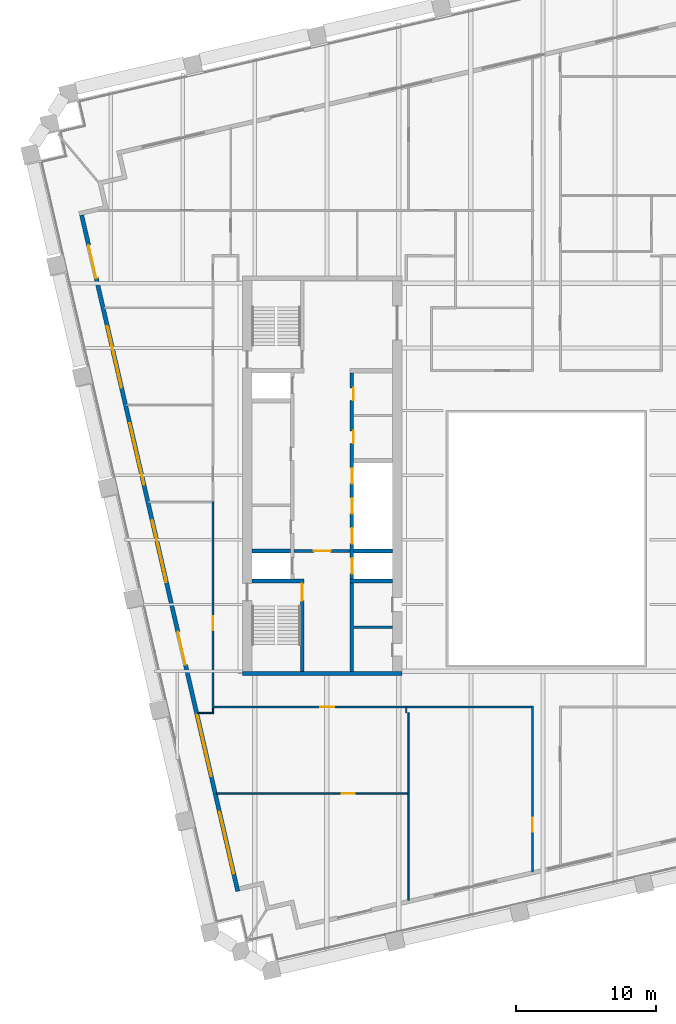
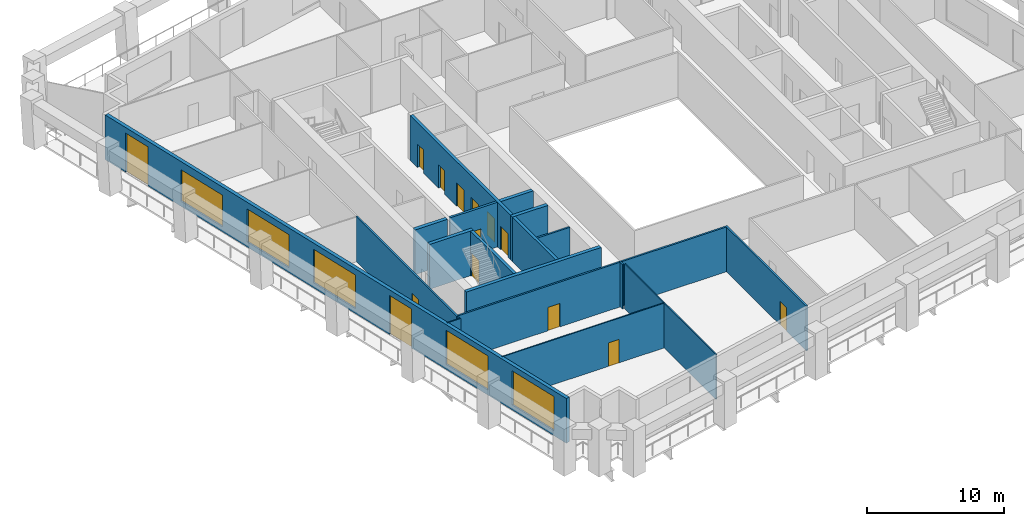
# One storey, part 4 of 10: 20 walls, 14 doors, 5 windows, 19 openings.
"""IFC4 building model written with IfcOpenShell, lengths in metres."""

from ifc_helpers import new_model, si_unit, direction, frame, frame_2d, origin, place, context, subcontext, project, spatial, rectangle, extrude, material, layer, layer_set, type_object, element, fill, save


model = new_model("IFC4")

# Units and contexts
model_context = context("Model", 3, precision=1e-05, world=origin(), true_north=direction((0.0, 1.0)))
body_context = subcontext(model_context, "Body", "Model", "MODEL_VIEW")
ifc_project = project(units=[si_unit("LENGTHUNIT", "METRE"), si_unit("AREAUNIT", "SQUARE_METRE"), si_unit("VOLUMEUNIT", "CUBIC_METRE"), si_unit("PLANEANGLEUNIT", "RADIAN"), si_unit("MASSUNIT", "GRAM", prefix="KILO")], contexts=[model_context])

# Site, building, storey
site_placement = place(None, origin())
site = spatial("IfcSite", under=ifc_project, at=site_placement, CompositionType="ELEMENT")
building_placement = place(site_placement, origin())
building = spatial("IfcBuilding", under=site, at=building_placement, Name="Ogive Exchange Tower", CompositionType="ELEMENT")
storey_placement = place(building_placement, frame((0.0, 0.0, 192.60009765625)))
storey = spatial("IfcBuildingStorey", under=building, at=storey_placement, Name="L42", CompositionType="ELEMENT", Elevation=192.60009765625)

# Wall
ifc_material_1 = material(Name="Gypsum board partition")
ifc_layer_1 = layer(ifc_material_1, 0.14990234375)
ifc_layer_set_1 = layer_set([ifc_layer_1], Name="Core room partition 150 gypsum")
wall_type_1 = type_object("IfcWallType", Name="Core room partition 150 gypsum", PredefinedType="PARTITIONING", material=ifc_layer_set_1)
wall_1_placement = place(storey_placement, frame((-13.75, 0.699951171875, 0.0), z_axis=(0.0, 0.0, 1.0), x_axis=(1.0, 0.0, 0.0)))
element("IfcWall", 1, at=wall_1_placement, inside=storey, type_object=wall_type_1, Name="W south room partition", PredefinedType="PARTITIONING", context=body_context, shape_type="SweptSolid", body=[
    extrude(rectangle(XDim=2.75, YDim=0.14990234375, at=frame_2d((1.375, 0.0))), origin(), (0.0, 0.0, 1.0), 4.0),
])

# Wall, opening, door
ifc_material_2 = material(Name="Fire partition EI 60 150")
ifc_layer_2 = layer(ifc_material_2, 0.14990234375)
ifc_layer_set_2 = layer_set([ifc_layer_2], Name="Fire partition EI 60 150")
wall_type_2 = type_object("IfcWallType", Name="Fire partition EI 60 150", PredefinedType="PARTITIONING", material=ifc_layer_set_2)
wall_2_placement = place(storey_placement, frame((-23.800048828125, -5.074951171875, 0.0), z_axis=(0.0, 0.0, 1.0), x_axis=(0.0, 1.0, 0.0)))
wall_2 = element("IfcWall", 2, at=wall_2_placement, inside=storey, type_object=wall_type_2, Name="L42-PWL-003", PredefinedType="PARTITIONING", context=body_context, shape_type="SweptSolid", body=[
    extrude(rectangle(XDim=14.744873046875, YDim=0.14990234375, at=frame_2d((7.37255859375, 0.0))), origin(), (0.0, 0.0, 1.0), 4.0),
])
opening_1_placement = place(wall_2_placement, frame((5.544921875, 0.0, 0.0)))
opening_1 = element("IfcOpeningElement", 3, at=opening_1_placement, cuts=wall_2, Name="Opening L42-I11", PredefinedType="OPENING", context=body_context, shape_type="SweptSolid", body=[
    extrude(rectangle(XDim=1.0, YDim=2.10009765625, at=frame_2d((0.5, 1.050048828125))), frame((0.0, 0.0849609375, 0.0), z_axis=(0.0, -1.0, 0.0), x_axis=(1.0, 0.0, 0.0)), (0.0, 0.0, 1.0), 0.169921875),
])
ifc_material_3 = material(Name="Fire door FD 30S 1000 x 2100")
door_type_1 = type_object("IfcDoorType", Name="Fire door FD 30S 1000 x 2100", OperationType="NOTDEFINED", PredefinedType="DOOR", material=ifc_material_3)
door_1_placement = place(opening_1_placement, origin())
door_1 = element("IfcDoor", 4, at=door_1_placement, inside=storey, type_object=door_type_1, Name="L42-IDR-011", ObjectType="DT3", OperationType="SINGLE_SWING_RIGHT", OverallHeight=2.10009765625, OverallWidth=1.0, PredefinedType="DOOR", context=body_context, shape_type="SweptSolid", body=[
    extrude(rectangle(XDim=1.0, YDim=2.10009765625, at=frame_2d((0.5, 1.050048828125))), frame((0.0, 0.02490234375, 0.0), z_axis=(0.0, -1.0, 0.0), x_axis=(1.0, 0.0, 0.0)), (0.0, 0.0, 1.0), 0.050048828125),
])
fill(opening_1, door_1)

wall_3_placement = place(storey_placement, frame((-10.050048828125, -5.0, 0.0), z_axis=(0.0, 0.0, 1.0), x_axis=(-1.0, 0.0, 0.0)))
wall_3 = element("IfcWall", 5, at=wall_3_placement, inside=storey, type_object=wall_type_2, Name="L42-PWL-020", PredefinedType="PARTITIONING", context=body_context, shape_type="SweptSolid", body=[
    extrude(rectangle(XDim=13.6650390625, YDim=0.14990234375, at=frame_2d((6.83251953125, 0.0))), origin(), (0.0, 0.0, 1.0), 4.0),
])
opening_2_placement = place(wall_3_placement, frame((5.090087890625, 0.0, 0.0)))
opening_2 = element("IfcOpeningElement", 6, at=opening_2_placement, cuts=wall_3, Name="Opening L42-I13", PredefinedType="OPENING", context=body_context, shape_type="SweptSolid", body=[
    extrude(rectangle(XDim=1.0, YDim=2.10009765625, at=frame_2d((0.5, 1.050048828125))), frame((0.0, 0.0849609375, 0.0), z_axis=(0.0, -1.0, 0.0), x_axis=(1.0, 0.0, 0.0)), (0.0, 0.0, 1.0), 0.169921875),
])
door_2_placement = place(opening_2_placement, origin())
door_2 = element("IfcDoor", 7, at=door_2_placement, inside=storey, type_object=door_type_1, Name="L42-IDR-013", ObjectType="DT3", OperationType="SINGLE_SWING_RIGHT", OverallHeight=2.10009765625, OverallWidth=1.0, PredefinedType="DOOR", context=body_context, shape_type="SweptSolid", body=[
    extrude(rectangle(XDim=1.0, YDim=2.10009765625, at=frame_2d((0.5, 1.050048828125))), frame((0.0, 0.02490234375, 0.0), z_axis=(0.0, -1.0, 0.0), x_axis=(1.0, 0.0, 0.0)), (0.0, 0.0, 1.0), 0.050048828125),
])
fill(opening_2, door_2)

wall_4_placement = place(storey_placement, frame((-0.989990234375, -16.7529296875, 0.0), z_axis=(0.0, 0.0, 1.0), x_axis=(0.0, 1.0, 0.0)))
wall_4 = element("IfcWall", 8, at=wall_4_placement, inside=storey, type_object=wall_type_2, Name="L42-PWL-036", PredefinedType="PARTITIONING", context=body_context, shape_type="SweptSolid", body=[
    extrude(rectangle(XDim=11.827880859375, YDim=0.14990234375, at=frame_2d((5.9140625, 0.0))), origin(), (0.0, 0.0, 1.0), 4.0),
])
opening_3_placement = place(wall_4_placement, frame((2.85302734375, 0.0, 0.0)))
opening_3 = element("IfcOpeningElement", 9, at=opening_3_placement, cuts=wall_4, Name="Opening L42-I12", PredefinedType="OPENING", context=body_context, shape_type="SweptSolid", body=[
    extrude(rectangle(XDim=1.0, YDim=2.10009765625, at=frame_2d((0.5, 1.050048828125))), frame((0.0, 0.0849609375, 0.0), z_axis=(0.0, -1.0, 0.0), x_axis=(1.0, 0.0, 0.0)), (0.0, 0.0, 1.0), 0.169921875),
])
door_3_placement = place(opening_3_placement, origin())
door_3 = element("IfcDoor", 10, at=door_3_placement, inside=storey, type_object=door_type_1, Name="L42-IDR-012", ObjectType="DT3", OperationType="SINGLE_SWING_RIGHT", OverallHeight=2.10009765625, OverallWidth=1.0, PredefinedType="DOOR", context=body_context, shape_type="SweptSolid", body=[
    extrude(rectangle(XDim=1.0, YDim=2.10009765625, at=frame_2d((0.5, 1.050048828125))), frame((0.0, 0.02490234375, 0.0), z_axis=(0.0, -1.0, 0.0), x_axis=(1.0, 0.0, 0.0)), (0.0, 0.0, 1.0), 0.050048828125),
])
fill(opening_3, door_3)

# Wall
wall_5_placement = place(storey_placement, frame((-1.06494140625, -5.0, 0.0), z_axis=(0.0, 0.0, 1.0), x_axis=(-1.0, 0.0, 0.0)))
element("IfcWall", 11, at=wall_5_placement, inside=storey, type_object=wall_type_2, Name="L42-PWL-037", PredefinedType="PARTITIONING", context=body_context, shape_type="SweptSolid", body=[
    extrude(rectangle(XDim=8.885009765625, YDim=0.14990234375, at=frame_2d((4.4423828125, 0.0))), origin(), (0.0, 0.0, 1.0), 4.0),
])

# Wall, openings, doors, windows
ifc_material_4 = material(Name="Precast concrete C40/50", Category="concrete")
ifc_layer_3 = layer(ifc_material_4, 0.300048828125)
ifc_layer_set_3 = layer_set([ifc_layer_3], Name="Limestone-faced wall 300")
wall_type_3 = type_object("IfcWallType", Name="Limestone-faced wall 300", PredefinedType="STANDARD", material=ifc_layer_set_3)
wall_6_placement = place(storey_placement, frame((-33.1572265625, 30.092041015625, 0.0), z_axis=(0.0, 0.0, 1.0), x_axis=(0.224950279389, -0.974370243697, 0.0)))
wall_6 = element("IfcWall", 12, at=wall_6_placement, inside=storey, type_object=wall_type_3, Name="External wall W4", PredefinedType="STANDARD", context=body_context, shape_type="SweptSolid", body=[
    extrude(rectangle(XDim=49.499755859375, YDim=0.300048828125, at=frame_2d((24.75, 0.0))), origin(), (0.0, 0.0, 1.0), 4.0),
])
opening_4_placement = place(wall_6_placement, frame((2.20703125, 0.0, 0.0)))
opening_4 = element("IfcOpeningElement", 13, at=opening_4_placement, cuts=wall_6, Name="Opening D1", PredefinedType="OPENING", context=body_context, shape_type="SweptSolid", body=[
    extrude(rectangle(XDim=2.39990234375, YDim=3.5, at=frame_2d((1.199951171875, 1.75))), frame((0.0, 0.159912109375, 0.0), z_axis=(0.0, -1.0, 0.0), x_axis=(1.0, 0.0, 0.0)), (0.0, 0.0, 1.0), 0.320068359375),
])
opening_5_placement = place(wall_6_placement, frame((8.121337890625, 0.0, 0.449951171875)))
opening_5 = element("IfcOpeningElement", 14, at=opening_5_placement, cuts=wall_6, Name="Opening W1E", PredefinedType="OPENING", context=body_context, shape_type="SweptSolid", body=[
    extrude(rectangle(XDim=4.5, YDim=2.824951171875, at=frame_2d((2.25, 1.41259765625))), frame((0.0, 0.159912109375, 0.0), z_axis=(0.0, -1.0, 0.0), x_axis=(1.0, 0.0, 0.0)), (0.0, 0.0, 1.0), 0.320068359375),
])
opening_6_placement = place(wall_6_placement, frame((15.235595703125, 0.0, 0.449951171875)))
opening_6 = element("IfcOpeningElement", 15, at=opening_6_placement, cuts=wall_6, Name="Opening W1B", PredefinedType="OPENING", context=body_context, shape_type="SweptSolid", body=[
    extrude(rectangle(XDim=4.5, YDim=2.949951171875, at=frame_2d((2.25, 1.47509765625))), frame((0.0, 0.159912109375, 0.0), z_axis=(0.0, -1.0, 0.0), x_axis=(1.0, 0.0, 0.0)), (0.0, 0.0, 1.0), 0.320068359375),
])
opening_7_placement = place(wall_6_placement, frame((22.35009765625, 0.0, 0.449951171875)))
opening_7 = element("IfcOpeningElement", 16, at=opening_7_placement, cuts=wall_6, Name="Opening W1A", PredefinedType="OPENING", context=body_context, shape_type="SweptSolid", body=[
    extrude(rectangle(XDim=4.5, YDim=3.0, at=frame_2d((2.25, 1.5))), frame((0.0, 0.159912109375, 0.0), z_axis=(0.0, -1.0, 0.0), x_axis=(1.0, 0.0, 0.0)), (0.0, 0.0, 1.0), 0.320068359375),
])
opening_8_placement = place(wall_6_placement, frame((30.51416015625, 0.0, 0.0)))
opening_8 = element("IfcOpeningElement", 17, at=opening_8_placement, cuts=wall_6, Name="Opening D1", PredefinedType="OPENING", context=body_context, shape_type="SweptSolid", body=[
    extrude(rectangle(XDim=2.39990234375, YDim=3.5, at=frame_2d((1.199951171875, 1.75))), frame((0.0, 0.159912109375, 0.0), z_axis=(0.0, -1.0, 0.0), x_axis=(1.0, 0.0, 0.0)), (0.0, 0.0, 1.0), 0.320068359375),
])
opening_9_placement = place(wall_6_placement, frame((36.57861328125, 0.0, 0.449951171875)))
opening_9 = element("IfcOpeningElement", 18, at=opening_9_placement, cuts=wall_6, Name="Opening W1", PredefinedType="OPENING", context=body_context, shape_type="SweptSolid", body=[
    extrude(rectangle(XDim=4.5, YDim=3.050048828125, at=frame_2d((2.25, 1.52490234375))), frame((0.0, 0.159912109375, 0.0), z_axis=(0.0, -1.0, 0.0), x_axis=(1.0, 0.0, 0.0)), (0.0, 0.0, 1.0), 0.320068359375),
])
opening_10_placement = place(wall_6_placement, frame((43.69287109375, 0.0, 0.449951171875)))
opening_10 = element("IfcOpeningElement", 19, at=opening_10_placement, cuts=wall_6, Name="Opening W1", PredefinedType="OPENING", context=body_context, shape_type="SweptSolid", body=[
    extrude(rectangle(XDim=4.5, YDim=3.050048828125, at=frame_2d((2.25, 1.52490234375))), frame((0.0, 0.159912109375, 0.0), z_axis=(0.0, -1.0, 0.0), x_axis=(1.0, 0.0, 0.0)), (0.0, 0.0, 1.0), 0.320068359375),
])
ifc_material_5 = material(Name="Clear glass in bronze frame", Category="glass")
door_type_2 = type_object("IfcDoorType", Name="Sliding loggia door 2400 x 3500", OperationType="DOUBLE_DOOR_SLIDING", PredefinedType="DOOR", material=ifc_material_5)
door_4_placement = place(opening_4_placement, origin())
door_4 = element("IfcDoor", 20, at=door_4_placement, inside=storey, type_object=door_type_2, Name="Loggia door W00", OperationType="DOUBLE_DOOR_SLIDING", OverallHeight=3.5, OverallWidth=2.39990234375, PredefinedType="DOOR", context=body_context, shape_type="SweptSolid", body=[
    extrude(rectangle(XDim=2.39990234375, YDim=3.5, at=frame_2d((1.199951171875, 1.75))), frame((0.0, 0.02490234375, 0.0), z_axis=(0.0, -1.0, 0.0), x_axis=(1.0, 0.0, 0.0)), (0.0, 0.0, 1.0), 0.050048828125),
])
fill(opening_4, door_4)
door_5_placement = place(opening_8_placement, origin())
door_5 = element("IfcDoor", 21, at=door_5_placement, inside=storey, type_object=door_type_2, Name="Loggia door W04", OperationType="DOUBLE_DOOR_SLIDING", OverallHeight=3.5, OverallWidth=2.39990234375, PredefinedType="DOOR", context=body_context, shape_type="SweptSolid", body=[
    extrude(rectangle(XDim=2.39990234375, YDim=3.5, at=frame_2d((1.199951171875, 1.75))), frame((0.0, 0.02490234375, 0.0), z_axis=(0.0, -1.0, 0.0), x_axis=(1.0, 0.0, 0.0)), (0.0, 0.0, 1.0), 0.050048828125),
])
fill(opening_8, door_5)
window_type_1 = type_object("IfcWindowType", Name="Twin lancet window 4500 x 2825", PartitioningType="DOUBLE_PANEL_VERTICAL", PredefinedType="WINDOW", material=ifc_material_5)
window_1_placement = place(opening_5_placement, origin())
window_1 = element("IfcWindow", 22, at=window_1_placement, inside=storey, type_object=window_type_1, Name="Window W01", OverallHeight=2.824951171875, OverallWidth=4.5, PartitioningType="DOUBLE_PANEL_VERTICAL", PredefinedType="WINDOW", context=body_context, shape_type="SweptSolid", body=[
    extrude(rectangle(XDim=4.5, YDim=2.824951171875, at=frame_2d((2.25, 1.41259765625))), frame((0.0, 0.030029296875, 0.0), z_axis=(0.0, -1.0, 0.0), x_axis=(1.0, 0.0, 0.0)), (0.0, 0.0, 1.0), 0.06005859375),
])
fill(opening_5, window_1)
window_type_2 = type_object("IfcWindowType", Name="Twin lancet window 4500 x 2950", PartitioningType="DOUBLE_PANEL_VERTICAL", PredefinedType="WINDOW", material=ifc_material_5)
window_2_placement = place(opening_6_placement, origin())
window_2 = element("IfcWindow", 23, at=window_2_placement, inside=storey, type_object=window_type_2, Name="Window W02", OverallHeight=2.949951171875, OverallWidth=4.5, PartitioningType="DOUBLE_PANEL_VERTICAL", PredefinedType="WINDOW", context=body_context, shape_type="SweptSolid", body=[
    extrude(rectangle(XDim=4.5, YDim=2.949951171875, at=frame_2d((2.25, 1.47509765625))), frame((0.0, 0.030029296875, 0.0), z_axis=(0.0, -1.0, 0.0), x_axis=(1.0, 0.0, 0.0)), (0.0, 0.0, 1.0), 0.06005859375),
])
fill(opening_6, window_2)
window_type_3 = type_object("IfcWindowType", Name="Twin lancet window 4500 x 3000", PartitioningType="DOUBLE_PANEL_VERTICAL", PredefinedType="WINDOW", material=ifc_material_5)
window_3_placement = place(opening_7_placement, origin())
window_3 = element("IfcWindow", 24, at=window_3_placement, inside=storey, type_object=window_type_3, Name="Window W03", OverallHeight=3.0, OverallWidth=4.5, PartitioningType="DOUBLE_PANEL_VERTICAL", PredefinedType="WINDOW", context=body_context, shape_type="SweptSolid", body=[
    extrude(rectangle(XDim=4.5, YDim=3.0, at=frame_2d((2.25, 1.5))), frame((0.0, 0.030029296875, 0.0), z_axis=(0.0, -1.0, 0.0), x_axis=(1.0, 0.0, 0.0)), (0.0, 0.0, 1.0), 0.06005859375),
])
fill(opening_7, window_3)
window_type_4 = type_object("IfcWindowType", Name="Twin lancet window 4500 x 3050", PartitioningType="DOUBLE_PANEL_VERTICAL", PredefinedType="WINDOW", material=ifc_material_5)
window_4_placement = place(opening_9_placement, origin())
window_4 = element("IfcWindow", 25, at=window_4_placement, inside=storey, type_object=window_type_4, Name="Window W05", OverallHeight=3.050048828125, OverallWidth=4.5, PartitioningType="DOUBLE_PANEL_VERTICAL", PredefinedType="WINDOW", context=body_context, shape_type="SweptSolid", body=[
    extrude(rectangle(XDim=4.5, YDim=3.050048828125, at=frame_2d((2.25, 1.52490234375))), frame((0.0, 0.030029296875, 0.0), z_axis=(0.0, -1.0, 0.0), x_axis=(1.0, 0.0, 0.0)), (0.0, 0.0, 1.0), 0.06005859375),
])
fill(opening_9, window_4)
window_5_placement = place(opening_10_placement, origin())
window_5 = element("IfcWindow", 26, at=window_5_placement, inside=storey, type_object=window_type_4, Name="Window W06", OverallHeight=3.050048828125, OverallWidth=4.5, PartitioningType="DOUBLE_PANEL_VERTICAL", PredefinedType="WINDOW", context=body_context, shape_type="SweptSolid", body=[
    extrude(rectangle(XDim=4.5, YDim=3.050048828125, at=frame_2d((2.25, 1.52490234375))), frame((0.0, 0.030029296875, 0.0), z_axis=(0.0, -1.0, 0.0), x_axis=(1.0, 0.0, 0.0)), (0.0, 0.0, 1.0), 0.06005859375),
])
fill(opening_10, window_5)

# Walls
ifc_material_6 = material(Name="Partition 100 gypsum")
ifc_layer_4 = layer(ifc_material_6, 0.10009765625)
ifc_layer_set_4 = layer_set([ifc_layer_4], Name="Partition 100 gypsum")
wall_type_4 = type_object("IfcWallType", Name="Partition 100 gypsum", PredefinedType="PARTITIONING", material=ifc_layer_set_4)
wall_7_placement = place(storey_placement, frame((-23.739990234375, -5.419921875, 0.0), z_axis=(0.0, 0.0, 1.0), x_axis=(-1.0, 0.0, 0.0)))
element("IfcWall", 27, at=wall_7_placement, inside=storey, type_object=wall_type_4, Name="L42-PWL-009", PredefinedType="PARTITIONING", context=body_context, shape_type="SweptSolid", body=[
    extrude(rectangle(XDim=1.14697265625, YDim=0.10009765625, at=frame_2d((0.573486328125, 0.0))), origin(), (0.0, 0.0, 1.0), 4.0),
])
wall_8_placement = place(storey_placement, frame((-23.7900390625, -5.074951171875, 0.0), z_axis=(0.0, 0.0, 1.0), x_axis=(0.0, -1.0, 0.0)))
element("IfcWall", 28, at=wall_8_placement, inside=storey, type_object=wall_type_4, Name="L42-PWL-010", PredefinedType="PARTITIONING", context=body_context, shape_type="SweptSolid", body=[
    extrude(rectangle(XDim=0.295166015625, YDim=0.10009765625, at=frame_2d((0.1474609375, 0.0))), origin(), (0.0, 0.0, 1.0), 4.0),
])
wall_9_placement = place(storey_placement, frame((-10.0, -5.419921875, 0.0), z_axis=(0.0, 0.0, 1.0), x_axis=(0.0, 1.0, 0.0)))
element("IfcWall", 29, at=wall_9_placement, inside=storey, type_object=wall_type_4, Name="L42-PWL-019", PredefinedType="PARTITIONING", context=body_context, shape_type="SweptSolid", body=[
    extrude(rectangle(XDim=0.494873046875, YDim=0.10009765625, at=frame_2d((0.24755859375, 0.0))), origin(), (0.0, 0.0, 1.0), 4.0),
])
wall_10_placement = place(storey_placement, frame((-9.830078125, -18.7939453125, 0.0), z_axis=(0.0, 0.0, 1.0), x_axis=(0.0, 1.0, 0.0)))
element("IfcWall", 30, at=wall_10_placement, inside=storey, type_object=wall_type_4, Name="L42-PWL-023", PredefinedType="PARTITIONING", context=body_context, shape_type="SweptSolid", body=[
    extrude(rectangle(XDim=7.673828125, YDim=0.10009765625, at=frame_2d((3.8369140625, 0.0))), origin(), (0.0, 0.0, 1.0), 4.0),
])

# Wall, opening, door
wall_11_placement = place(storey_placement, frame((-9.8798828125, -11.169921875, 0.0), z_axis=(0.0, 0.0, 1.0), x_axis=(-1.0, 0.0, 0.0)))
wall_11 = element("IfcWall", 31, at=wall_11_placement, inside=storey, type_object=wall_type_4, Name="L42-PWL-024", PredefinedType="PARTITIONING", context=body_context, shape_type="SweptSolid", body=[
    extrude(rectangle(XDim=13.68017578125, YDim=0.10009765625, at=frame_2d((6.840087890625, 0.0))), origin(), (0.0, 0.0, 1.0), 4.0),
])
opening_11_placement = place(wall_11_placement, frame((3.81005859375, 0.0, 0.0)))
opening_11 = element("IfcOpeningElement", 32, at=opening_11_placement, cuts=wall_11, Name="Opening L42-I14", PredefinedType="OPENING", context=body_context, shape_type="SweptSolid", body=[
    extrude(rectangle(XDim=0.89990234375, YDim=2.10009765625, at=frame_2d((0.449951171875, 1.050048828125))), frame((0.0, 0.06005859375, 0.0), z_axis=(0.0, -1.0, 0.0), x_axis=(1.0, 0.0, 0.0)), (0.0, 0.0, 1.0), 0.1201171875),
])
ifc_material_7 = material(Name="Door 900 x 2100")
door_type_3 = type_object("IfcDoorType", Name="Door 900 x 2100", OperationType="NOTDEFINED", PredefinedType="DOOR", material=ifc_material_7)
door_6_placement = place(opening_11_placement, frame((0.89990234375, 0.0, 0.0), z_axis=(0.0, 0.0, 1.0), x_axis=(-1.0, 0.0, 0.0)))
door_6 = element("IfcDoor", 33, at=door_6_placement, inside=storey, type_object=door_type_3, Name="L42-IDR-014", ObjectType="DT1", OperationType="SINGLE_SWING_RIGHT", OverallHeight=2.10009765625, OverallWidth=0.89990234375, PredefinedType="DOOR", context=body_context, shape_type="SweptSolid", body=[
    extrude(rectangle(XDim=0.89990234375, YDim=2.10009765625, at=frame_2d((0.449951171875, 1.050048828125))), frame((0.0, 0.02490234375, 0.0), z_axis=(0.0, -1.0, 0.0), x_axis=(1.0, 0.0, 0.0)), (0.0, 0.0, 1.0), 0.050048828125),
])
fill(opening_11, door_6)

# Wall
wall_12_placement = place(storey_placement, frame((-9.830078125, -11.1201171875, 0.0), z_axis=(0.0, 0.0, 1.0), x_axis=(0.0, 1.0, 0.0)))
element("IfcWall", 34, at=wall_12_placement, inside=storey, type_object=wall_type_4, Name="L42-PWL-025", PredefinedType="PARTITIONING", context=body_context, shape_type="SweptSolid", body=[
    extrude(rectangle(XDim=5.7001953125, YDim=0.10009765625, at=frame_2d((2.85009765625, 0.0))), origin(), (0.0, 0.0, 1.0), 4.0),
])

# Wall, opening, door
ifc_material_8 = material(Name="Concrete C70/85", Category="concrete")
ifc_layer_5 = layer(ifc_material_8, 0.199951171875)
ifc_layer_set_5 = layer_set([ifc_layer_5], Name="RC core wall 200 C70/85")
wall_type_5 = type_object("IfcWallType", Name="RC core wall 200 C70/85", PredefinedType="SHEAR", material=ifc_layer_set_5)
wall_13_placement = place(storey_placement, frame((-18.0, 6.142822265625, 0.0), z_axis=(0.0, 0.0, 1.0), x_axis=(1.0, 0.0, 0.0)))
wall_13 = element("IfcWall", 35, at=wall_13_placement, inside=storey, type_object=wall_type_5, Name="W firefighting lobby wall", PredefinedType="SHEAR", context=body_context, shape_type="SweptSolid", body=[
    extrude(rectangle(XDim=4.0, YDim=0.199951171875, at=frame_2d((2.0, 0.0))), origin(), (0.0, 0.0, 1.0), 4.0),
])
opening_12_placement = place(wall_13_placement, frame((1.39990234375, 0.0, 0.0)))
opening_12 = element("IfcOpeningElement", 36, at=opening_12_placement, cuts=wall_13, Name="Opening L42-C11", PredefinedType="OPENING", context=body_context, shape_type="SweptSolid", body=[
    extrude(rectangle(XDim=1.199951171875, YDim=2.10009765625, at=frame_2d((0.60009765625, 1.050048828125))), frame((0.0, 0.10986328125, 0.0), z_axis=(0.0, -1.0, 0.0), x_axis=(1.0, 0.0, 0.0)), (0.0, 0.0, 1.0), 0.219970703125),
])
ifc_material_9 = material(Name="Steel fire door", Category="steel")
door_type_4 = type_object("IfcDoorType", Name="Firefighting lobby door FD60 1200 x 2100", OperationType="NOTDEFINED", PredefinedType="DOOR", material=ifc_material_9)
door_7_placement = place(opening_12_placement, frame((1.199951171875, 0.0, 0.0), z_axis=(0.0, 0.0, 1.0), x_axis=(-1.0, 0.0, 0.0)))
door_7 = element("IfcDoor", 37, at=door_7_placement, inside=storey, type_object=door_type_4, Name="Firefighting lobby door", ObjectType="CD3", OperationType="SINGLE_SWING_LEFT", OverallHeight=2.10009765625, OverallWidth=1.199951171875, PredefinedType="DOOR", context=body_context, shape_type="SweptSolid", body=[
    extrude(rectangle(XDim=1.199951171875, YDim=2.10009765625, at=frame_2d((0.60009765625, 1.050048828125))), frame((0.0, 0.02490234375, 0.0), z_axis=(0.0, -1.0, 0.0), x_axis=(1.0, 0.0, 0.0)), (0.0, 0.0, 1.0), 0.050048828125),
])
fill(opening_12, door_7)

ifc_layer_6 = layer(ifc_material_8, 0.25)
ifc_layer_set_6 = layer_set([ifc_layer_6], Name="RC core wall 250 C70/85")
wall_type_6 = type_object("IfcWallType", Name="RC core wall 250 C70/85", PredefinedType="SHEAR", material=ifc_layer_set_6)
wall_14_placement = place(storey_placement, frame((-17.425048828125, -2.449951171875, 0.0), z_axis=(0.0, 0.0, 1.0), x_axis=(0.0, 1.0, 0.0)))
wall_14 = element("IfcWall", 38, at=wall_14_placement, inside=storey, type_object=wall_type_6, Name="W stair S front wall", PredefinedType="SHEAR", context=body_context, shape_type="SweptSolid", body=[
    extrude(rectangle(XDim=6.300048828125, YDim=0.25, at=frame_2d((3.14990234375, 0.0))), origin(), (0.0, 0.0, 1.0), 4.0),
])
opening_13_placement = place(wall_14_placement, frame((5.050048828125, 0.0, 0.0)))
opening_13 = element("IfcOpeningElement", 39, at=opening_13_placement, cuts=wall_14, Name="Opening L42-C13", PredefinedType="OPENING", context=body_context, shape_type="SweptSolid", body=[
    extrude(rectangle(XDim=1.199951171875, YDim=2.10009765625, at=frame_2d((0.60009765625, 1.050048828125))), frame((0.0, 0.135009765625, 0.0), z_axis=(0.0, -1.0, 0.0), x_axis=(1.0, 0.0, 0.0)), (0.0, 0.0, 1.0), 0.27001953125),
])
door_type_5 = type_object("IfcDoorType", Name="Stair door FD90 1200 x 2100", OperationType="NOTDEFINED", PredefinedType="DOOR", material=ifc_material_9)
door_8_placement = place(opening_13_placement, origin())
door_8 = element("IfcDoor", 40, at=door_8_placement, inside=storey, type_object=door_type_5, Name="Stair door", ObjectType="CD5", OperationType="SINGLE_SWING_LEFT", OverallHeight=2.10009765625, OverallWidth=1.199951171875, PredefinedType="DOOR", context=body_context, shape_type="SweptSolid", body=[
    extrude(rectangle(XDim=1.199951171875, YDim=2.10009765625, at=frame_2d((0.60009765625, 1.050048828125))), frame((0.0, 0.02490234375, 0.0), z_axis=(0.0, -1.0, 0.0), x_axis=(1.0, 0.0, 0.0)), (0.0, 0.0, 1.0), 0.050048828125),
])
fill(opening_13, door_8)

# Wall, openings, doors
wall_15_placement = place(storey_placement, frame((-13.875, -2.449951171875, 0.0), z_axis=(0.0, 0.0, 1.0), x_axis=(0.0, 1.0, 0.0)))
wall_15 = element("IfcWall", 41, at=wall_15_placement, inside=storey, type_object=wall_type_6, Name="W row B front wall", PredefinedType="SHEAR", context=body_context, shape_type="SweptSolid", body=[
    extrude(rectangle(XDim=21.300048828125, YDim=0.25, at=frame_2d((10.64990234375, 0.0))), origin(), (0.0, 0.0, 1.0), 4.0),
])
opening_14_placement = place(wall_15_placement, frame((16.2607421875, 0.0, 0.0)))
opening_14 = element("IfcOpeningElement", 42, at=opening_14_placement, cuts=wall_15, Name="Opening L42-C05", PredefinedType="OPENING", context=body_context, shape_type="SweptSolid", body=[
    extrude(rectangle(XDim=0.89990234375, YDim=2.10009765625, at=frame_2d((0.449951171875, 1.050048828125))), frame((0.0, 0.135009765625, 0.0), z_axis=(0.0, -1.0, 0.0), x_axis=(1.0, 0.0, 0.0)), (0.0, 0.0, 1.0), 0.27001953125),
])
opening_15_placement = place(wall_15_placement, frame((19.324951171875, 0.0, 0.0)))
opening_15 = element("IfcOpeningElement", 43, at=opening_15_placement, cuts=wall_15, Name="Opening L42-C06", PredefinedType="OPENING", context=body_context, shape_type="SweptSolid", body=[
    extrude(rectangle(XDim=0.89990234375, YDim=2.10009765625, at=frame_2d((0.449951171875, 1.050048828125))), frame((0.0, 0.135009765625, 0.0), z_axis=(0.0, -1.0, 0.0), x_axis=(1.0, 0.0, 0.0)), (0.0, 0.0, 1.0), 0.27001953125),
])
opening_16_placement = place(wall_15_placement, frame((6.971435546875, 0.0, 0.0)))
opening_16 = element("IfcOpeningElement", 44, at=opening_16_placement, cuts=wall_15, Name="Opening L42-C07", PredefinedType="OPENING", context=body_context, shape_type="SweptSolid", body=[
    extrude(rectangle(XDim=1.10009765625, YDim=2.10009765625, at=frame_2d((0.550048828125, 1.050048828125))), frame((0.0, 0.135009765625, 0.0), z_axis=(0.0, -1.0, 0.0), x_axis=(1.0, 0.0, 0.0)), (0.0, 0.0, 1.0), 0.27001953125),
])
opening_17_placement = place(wall_15_placement, frame((9.1142578125, 0.0, 0.0)))
opening_17 = element("IfcOpeningElement", 45, at=opening_17_placement, cuts=wall_15, Name="Opening L42-C08", PredefinedType="OPENING", context=body_context, shape_type="SweptSolid", body=[
    extrude(rectangle(XDim=1.10009765625, YDim=2.10009765625, at=frame_2d((0.550048828125, 1.050048828125))), frame((0.0, 0.135009765625, 0.0), z_axis=(0.0, -1.0, 0.0), x_axis=(1.0, 0.0, 0.0)), (0.0, 0.0, 1.0), 0.27001953125),
])
opening_18_placement = place(wall_15_placement, frame((11.257080078125, 0.0, 0.0)))
opening_18 = element("IfcOpeningElement", 46, at=opening_18_placement, cuts=wall_15, Name="Opening L42-C09", PredefinedType="OPENING", context=body_context, shape_type="SweptSolid", body=[
    extrude(rectangle(XDim=1.10009765625, YDim=2.10009765625, at=frame_2d((0.550048828125, 1.050048828125))), frame((0.0, 0.135009765625, 0.0), z_axis=(0.0, -1.0, 0.0), x_axis=(1.0, 0.0, 0.0)), (0.0, 0.0, 1.0), 0.27001953125),
])
opening_19_placement = place(wall_15_placement, frame((13.39990234375, 0.0, 0.0)))
opening_19 = element("IfcOpeningElement", 47, at=opening_19_placement, cuts=wall_15, Name="Opening L42-C10", PredefinedType="OPENING", context=body_context, shape_type="SweptSolid", body=[
    extrude(rectangle(XDim=1.10009765625, YDim=2.10009765625, at=frame_2d((0.550048828125, 1.050048828125))), frame((0.0, 0.135009765625, 0.0), z_axis=(0.0, -1.0, 0.0), x_axis=(1.0, 0.0, 0.0)), (0.0, 0.0, 1.0), 0.27001953125),
])
ifc_material_10 = material(Name="Timber fire door", Category="wood")
door_type_6 = type_object("IfcDoorType", Name="Core room door FD30S 900 x 2100", OperationType="NOTDEFINED", PredefinedType="DOOR", material=ifc_material_10)
door_9_placement = place(opening_14_placement, frame((0.89990234375, -0.2001953125, 0.0), z_axis=(0.0, 0.0, 1.0), x_axis=(-1.0, 0.0, 0.0)))
door_9 = element("IfcDoor", 48, at=door_9_placement, inside=storey, type_object=door_type_6, Name="Core room door", ObjectType="CD6", OperationType="SINGLE_SWING_LEFT", OverallHeight=2.10009765625, OverallWidth=0.89990234375, PredefinedType="DOOR", context=body_context, shape_type="SweptSolid", body=[
    extrude(rectangle(XDim=0.89990234375, YDim=2.10009765625, at=frame_2d((0.449951171875, 1.050048828125))), frame((0.0, -0.0751953125, 0.0), z_axis=(0.0, -1.0, 0.0), x_axis=(1.0, 0.0, 0.0)), (0.0, 0.0, 1.0), 0.050048828125),
])
fill(opening_14, door_9)
ifc_material_11 = material(Name="Stainless steel", Category="steel")
door_type_7 = type_object("IfcDoorType", Name="Lift landing door FD90 1100 x 2100", OperationType="SLIDING_TO_LEFT", PredefinedType="DOOR", material=ifc_material_11)
door_10_placement = place(opening_16_placement, origin())
door_10 = element("IfcDoor", 49, at=door_10_placement, inside=storey, type_object=door_type_7, Name="Lift landing door SV1", ObjectType="LD", OperationType="SLIDING_TO_LEFT", OverallHeight=2.10009765625, OverallWidth=1.10009765625, PredefinedType="DOOR", context=body_context, shape_type="SweptSolid", body=[
    extrude(rectangle(XDim=1.10009765625, YDim=2.10009765625, at=frame_2d((0.550048828125, 1.050048828125))), frame((0.0, 0.02490234375, 0.0), z_axis=(0.0, -1.0, 0.0), x_axis=(1.0, 0.0, 0.0)), (0.0, 0.0, 1.0), 0.050048828125),
])
fill(opening_16, door_10)
door_11_placement = place(opening_17_placement, origin())
door_11 = element("IfcDoor", 50, at=door_11_placement, inside=storey, type_object=door_type_7, Name="Lift landing door W-M1", ObjectType="LD", OperationType="SLIDING_TO_LEFT", OverallHeight=2.10009765625, OverallWidth=1.10009765625, PredefinedType="DOOR", context=body_context, shape_type="SweptSolid", body=[
    extrude(rectangle(XDim=1.10009765625, YDim=2.10009765625, at=frame_2d((0.550048828125, 1.050048828125))), frame((0.0, 0.02490234375, 0.0), z_axis=(0.0, -1.0, 0.0), x_axis=(1.0, 0.0, 0.0)), (0.0, 0.0, 1.0), 0.050048828125),
])
fill(opening_17, door_11)
door_12_placement = place(opening_18_placement, origin())
door_12 = element("IfcDoor", 51, at=door_12_placement, inside=storey, type_object=door_type_7, Name="Lift landing door W-M2", ObjectType="LD", OperationType="SLIDING_TO_LEFT", OverallHeight=2.10009765625, OverallWidth=1.10009765625, PredefinedType="DOOR", context=body_context, shape_type="SweptSolid", body=[
    extrude(rectangle(XDim=1.10009765625, YDim=2.10009765625, at=frame_2d((0.550048828125, 1.050048828125))), frame((0.0, 0.02490234375, 0.0), z_axis=(0.0, -1.0, 0.0), x_axis=(1.0, 0.0, 0.0)), (0.0, 0.0, 1.0), 0.050048828125),
])
fill(opening_18, door_12)
door_13_placement = place(opening_19_placement, origin())
door_13 = element("IfcDoor", 52, at=door_13_placement, inside=storey, type_object=door_type_7, Name="Lift landing door W-M3", ObjectType="LD", OperationType="SLIDING_TO_LEFT", OverallHeight=2.10009765625, OverallWidth=1.10009765625, PredefinedType="DOOR", context=body_context, shape_type="SweptSolid", body=[
    extrude(rectangle(XDim=1.10009765625, YDim=2.10009765625, at=frame_2d((0.550048828125, 1.050048828125))), frame((0.0, 0.02490234375, 0.0), z_axis=(0.0, -1.0, 0.0), x_axis=(1.0, 0.0, 0.0)), (0.0, 0.0, 1.0), 0.050048828125),
])
fill(opening_19, door_13)
door_type_8 = type_object("IfcDoorType", Name="Riser door FD60 900 x 2100", OperationType="NOTDEFINED", PredefinedType="DOOR", material=ifc_material_9)
door_14_placement = place(opening_15_placement, frame((0.89990234375, -0.2001953125, 0.0), z_axis=(0.0, 0.0, 1.0), x_axis=(-1.0, 0.0, 0.0)))
door_14 = element("IfcDoor", 53, at=door_14_placement, inside=storey, type_object=door_type_8, Name="Riser door", ObjectType="CD2", OperationType="SINGLE_SWING_LEFT", OverallHeight=2.10009765625, OverallWidth=0.89990234375, PredefinedType="DOOR", context=body_context, shape_type="SweptSolid", body=[
    extrude(rectangle(XDim=0.89990234375, YDim=2.10009765625, at=frame_2d((0.449951171875, 1.050048828125))), frame((0.0, -0.0751953125, 0.0), z_axis=(0.0, -1.0, 0.0), x_axis=(1.0, 0.0, 0.0)), (0.0, 0.0, 1.0), 0.050048828125),
])
fill(opening_15, door_14)

# Walls
ifc_layer_7 = layer(ifc_material_8, 0.300048828125)
ifc_layer_set_7 = layer_set([ifc_layer_7], Name="RC core wall 300 C70/85")
wall_type_7 = type_object("IfcWallType", Name="RC core wall 300 C70/85", PredefinedType="SHEAR", material=ifc_layer_set_7)
wall_16_placement = place(storey_placement, frame((-21.699951171875, -2.60009765625, 0.0), z_axis=(0.0, 0.0, 1.0), x_axis=(1.0, 0.0, 0.0)))
element("IfcWall", 54, at=wall_16_placement, inside=storey, type_object=wall_type_7, Name="W south end wall", PredefinedType="SHEAR", context=body_context, shape_type="SweptSolid", body=[
    extrude(rectangle(XDim=11.39990234375, YDim=0.300048828125, at=frame_2d((5.699951171875, 0.0))), origin(), (0.0, 0.0, 1.0), 4.0),
])
wall_17_placement = place(storey_placement, frame((-21.0, 4.0, 0.0), z_axis=(0.0, 0.0, 1.0), x_axis=(1.0, 0.0, 0.0)))
element("IfcWall", 55, at=wall_17_placement, inside=storey, type_object=wall_type_7, Name="W stair S north wall", PredefinedType="SHEAR", context=body_context, shape_type="SweptSolid", body=[
    extrude(rectangle(XDim=3.699951171875, YDim=0.300048828125, at=frame_2d((1.85009765625, 0.0))), origin(), (0.0, 0.0, 1.0), 4.0),
])
wall_18_placement = place(storey_placement, frame((-21.0, 6.142822265625, 0.0), z_axis=(0.0, 0.0, 1.0), x_axis=(1.0, 0.0, 0.0)))
element("IfcWall", 56, at=wall_18_placement, inside=storey, type_object=wall_type_7, Name="W row A divider 1", PredefinedType="SHEAR", context=body_context, shape_type="SweptSolid", body=[
    extrude(rectangle(XDim=2.75, YDim=0.300048828125, at=frame_2d((1.375, 0.0))), origin(), (0.0, 0.0, 1.0), 4.0),
])
wall_19_placement = place(storey_placement, frame((-14.0, 4.0, 0.0), z_axis=(0.0, 0.0, 1.0), x_axis=(1.0, 0.0, 0.0)))
element("IfcWall", 57, at=wall_19_placement, inside=storey, type_object=wall_type_7, Name="W row B divider 0", PredefinedType="SHEAR", context=body_context, shape_type="SweptSolid", body=[
    extrude(rectangle(XDim=3.0, YDim=0.300048828125, at=frame_2d((1.5, 0.0))), origin(), (0.0, 0.0, 1.0), 4.0),
])
wall_20_placement = place(storey_placement, frame((-13.75, 6.142822265625, 0.0), z_axis=(0.0, 0.0, 1.0), x_axis=(1.0, 0.0, 0.0)))
element("IfcWall", 58, at=wall_20_placement, inside=storey, type_object=wall_type_7, Name="W row B divider 1", PredefinedType="SHEAR", context=body_context, shape_type="SweptSolid", body=[
    extrude(rectangle(XDim=2.75, YDim=0.300048828125, at=frame_2d((1.375, 0.0))), origin(), (0.0, 0.0, 1.0), 4.0),
])

save(model, "model.ifc")
